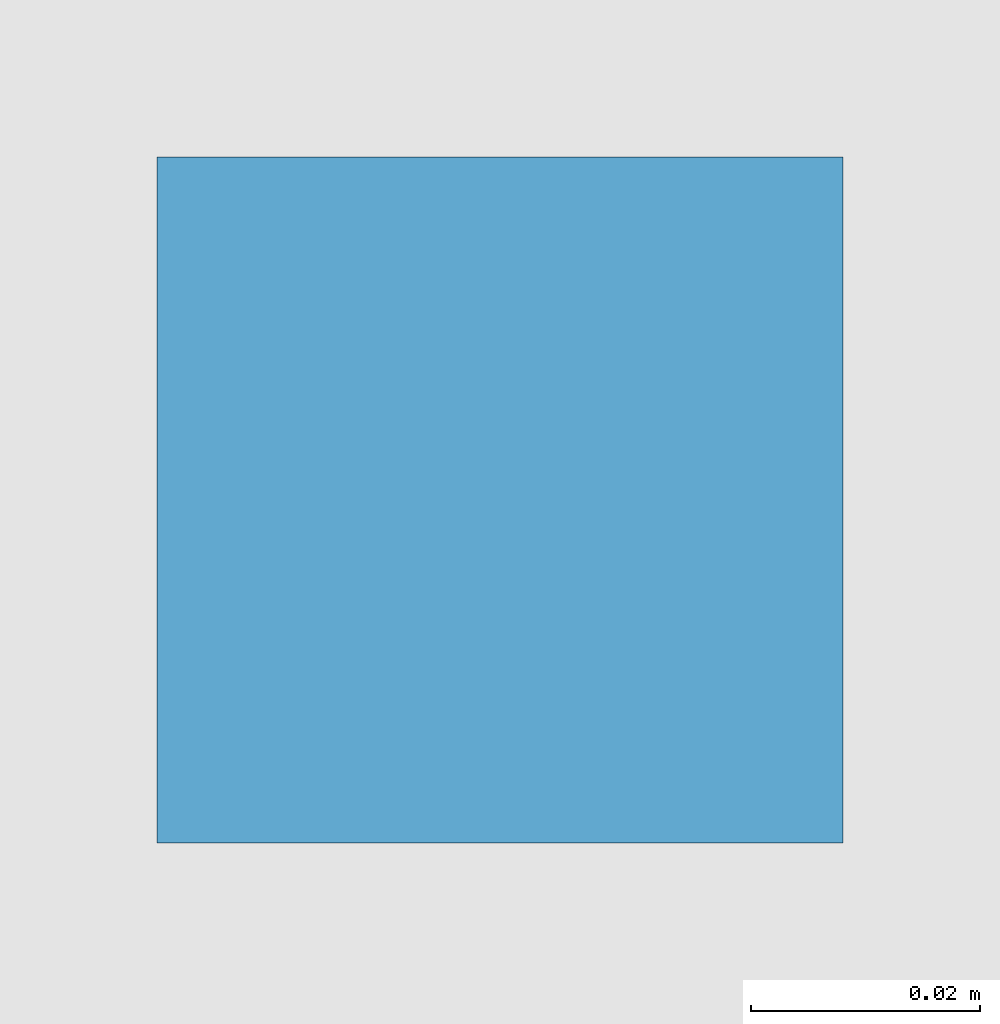
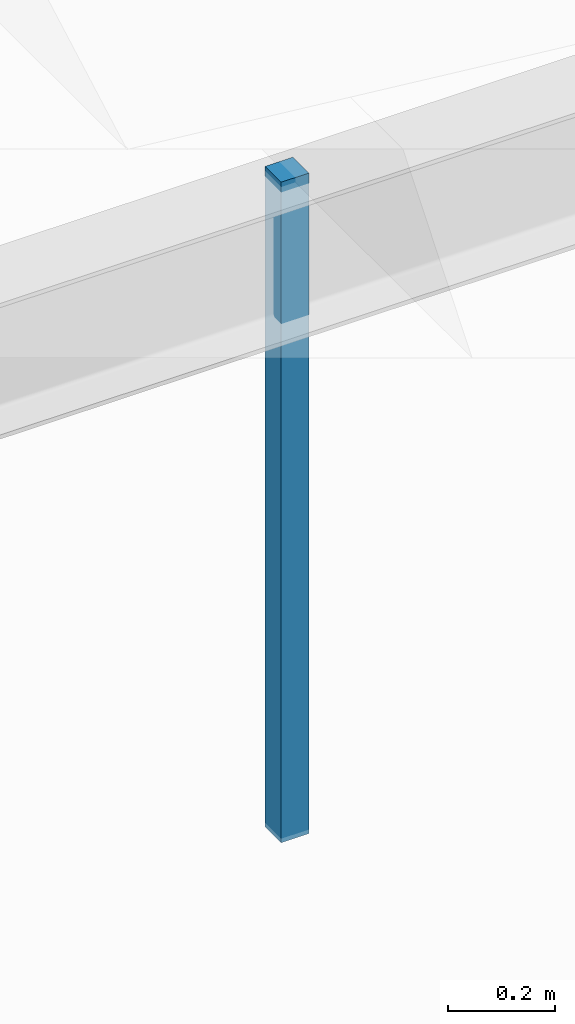
# One storey, part 102 of 108: 1 discrete accessory.
"""IFC4 building model written with IfcOpenShell, lengths in metres."""

from ifc_helpers import new_model, si_unit, direction, frame, origin, origin_2d, place, context, subcontext, project, spatial, rectangle, extrude, material, type_object, element, save


model = new_model("IFC4")

# Units and contexts
model_context = context("Model", 3, precision=1e-05, world=origin(), true_north=direction((0.0, 1.0)))
body_context = subcontext(model_context, "Body", "Model", "MODEL_VIEW")
ifc_project = project(units=[si_unit("LENGTHUNIT", "METRE"), si_unit("AREAUNIT", "SQUARE_METRE"), si_unit("VOLUMEUNIT", "CUBIC_METRE"), si_unit("PLANEANGLEUNIT", "RADIAN"), si_unit("MASSUNIT", "GRAM", prefix="KILO")], contexts=[model_context])

# Site, building, storey
site_placement = place(None, origin())
site = spatial("IfcSite", under=ifc_project, at=site_placement, CompositionType="ELEMENT")
building_placement = place(site_placement, origin())
building = spatial("IfcBuilding", under=site, at=building_placement, Name="Kaldorvane Square Convention Centre", CompositionType="ELEMENT")
storey_placement = place(building_placement, frame((0.0, 0.0, 23.399993896484375)))
storey = spatial("IfcBuildingStorey", under=building, at=storey_placement, Name="L04", CompositionType="ELEMENT", Elevation=23.399993896484375)

# Discrete accessory
ifc_material = material(Name="Architectural Painted Steel", Category="steel")
discrete_accessory_type = type_object("IfcDiscreteAccessoryType", Name="AC-HGR-060", PredefinedType="BRACKET", material=ifc_material)
discrete_accessory_placement = place(storey_placement, frame((60.0, 45.0, 2.029998779296875), z_axis=(0.0, 0.0, 1.0), x_axis=(1.0, 0.0, 0.0)))
element("IfcDiscreteAccessory", 1, at=discrete_accessory_placement, inside=storey, type_object=discrete_accessory_type, Name="Ceiling Suspension Bracket 08 (L04)", PredefinedType="BRACKET", context=body_context, shape_type="SweptSolid", body=[
    extrude(rectangle(XDim=0.05999755859375, YDim=0.05999755859375, at=origin_2d()), origin(), (0.0, 0.0, 1.0), 1.5099945068359375),
])

save(model, "model.ifc")
